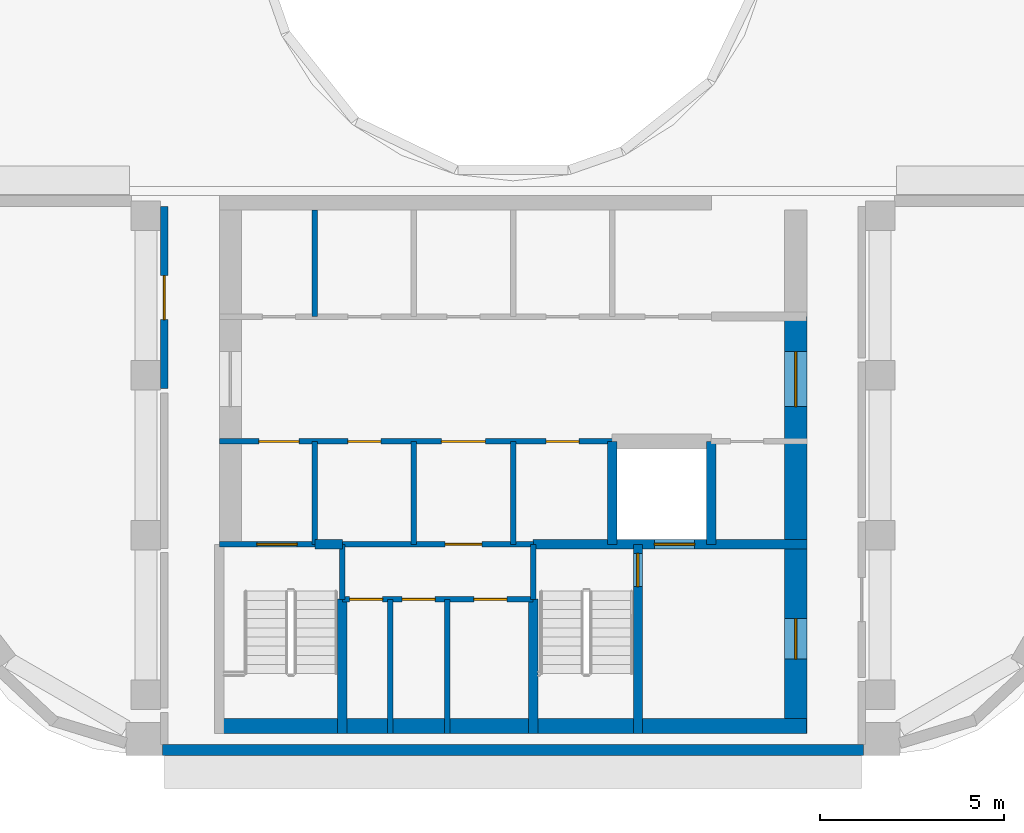
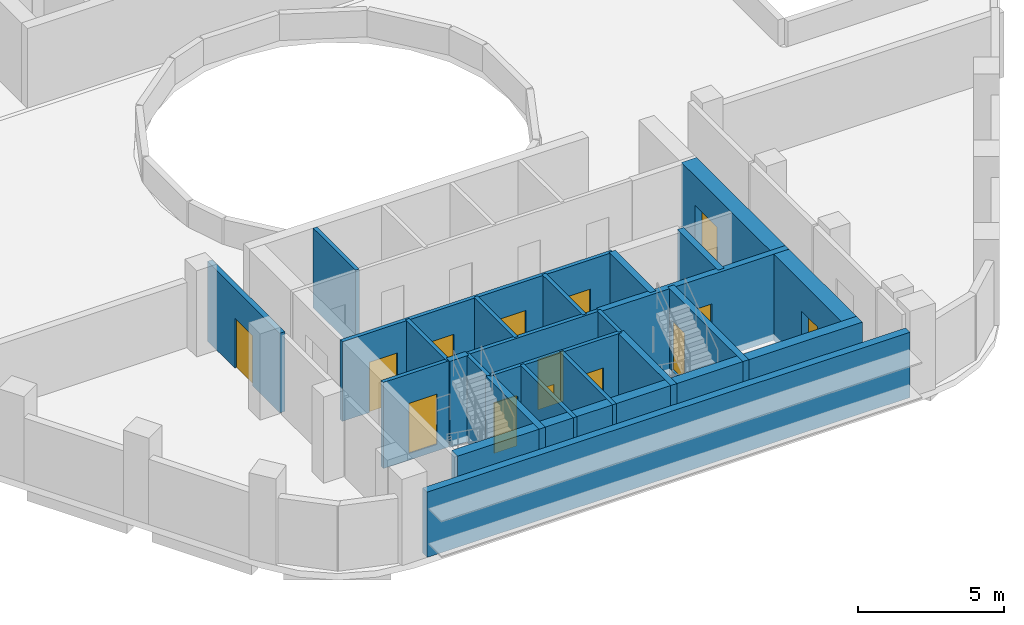
# One storey, part 2 of 9: 23 walls, 14 doors, 14 openings.
"""IFC4 building model written with IfcOpenShell, lengths in metres."""

from ifc_helpers import new_model, si_unit, direction, frame, frame_2d, origin, place, context, subcontext, project, spatial, rectangle, extrude, material, layer, layer_set, type_object, element, fill, save


model = new_model("IFC4")

# Units and contexts
model_context = context("Model", 3, precision=1e-05, world=origin(), true_north=direction((0.0, 1.0)))
body_context = subcontext(model_context, "Body", "Model", "MODEL_VIEW")
ifc_project = project(units=[si_unit("LENGTHUNIT", "METRE"), si_unit("AREAUNIT", "SQUARE_METRE"), si_unit("VOLUMEUNIT", "CUBIC_METRE"), si_unit("PLANEANGLEUNIT", "RADIAN"), si_unit("MASSUNIT", "GRAM", prefix="KILO")], contexts=[model_context])

# Site, building, storey
site_placement = place(None, origin())
site = spatial("IfcSite", under=ifc_project, at=site_placement, CompositionType="ELEMENT")
building_placement = place(site_placement, origin())
building = spatial("IfcBuilding", under=site, at=building_placement, Name="Nakaniwa Court", CompositionType="ELEMENT")
storey_placement = place(building_placement, frame((0.0, 0.0, 276.0)))
storey = spatial("IfcBuildingStorey", under=building, at=storey_placement, Name="C02", CompositionType="ELEMENT", Elevation=276.0)

# Wall, opening, door
ifc_material_1 = material(Name="Acoustic double stud partition")
ifc_layer_1 = layer(ifc_material_1, 0.199951171875)
ifc_layer_set_1 = layer_set([ifc_layer_1], Name="Acoustic double stud partition")
wall_type_1 = type_object("IfcWallType", Name="Acoustic double stud partition 200", PredefinedType="PARTITIONING", material=ifc_layer_set_1)
wall_1_placement = place(storey_placement, frame((70.5, 67.3369140625, 0.0), z_axis=(0.0, 0.0, 1.0), x_axis=(0.0, 1.0, 0.0)))
wall_1 = element("IfcWall", 1, at=wall_1_placement, inside=storey, type_object=wall_type_1, Name="Partition PW-068", PredefinedType="PARTITIONING", context=body_context, shape_type="SweptSolid", body=[
    extrude(rectangle(XDim=4.963134765625, YDim=0.199951171875, at=frame_2d((2.4814453125, 0.0))), origin(), (0.0, 0.0, 1.0), 3.324951171875),
])
opening_1_placement = place(wall_1_placement, frame((1.883056640625, 0.0, 0.0)))
opening_1 = element("IfcOpeningElement", 2, at=opening_1_placement, cuts=wall_1, Name="Opening D-35-01", PredefinedType="OPENING", context=body_context, shape_type="SweptSolid", body=[
    extrude(rectangle(XDim=1.199951171875, YDim=2.10009765625, at=frame_2d((0.60009765625, 1.050048828125))), frame((0.0, 0.10986328125, 0.0), z_axis=(0.0, -1.0, 0.0), x_axis=(1.0, 0.0, 0.0)), (0.0, 0.0, 1.0), 0.219970703125),
])
ifc_material_2 = material(Name="Fire rated steel door set", Category="steel")
door_type_1 = type_object("IfcDoorType", Name="Service room door 1200", OperationType="NOTDEFINED", PredefinedType="DOOR", material=ifc_material_2)
door_1_placement = place(opening_1_placement, origin())
door_1 = element("IfcDoor", 3, at=door_1_placement, inside=storey, type_object=door_type_1, Name="Door D-35-01 C02-035", OperationType="SINGLE_SWING_RIGHT", OverallHeight=2.10009765625, OverallWidth=1.199951171875, PredefinedType="DOOR", context=body_context, shape_type="SweptSolid", body=[
    extrude(rectangle(XDim=1.199951171875, YDim=2.10009765625, at=frame_2d((0.60009765625, 1.050048828125))), frame((0.0, 0.02490234375, 0.0), z_axis=(0.0, -1.0, 0.0), x_axis=(1.0, 0.0, 0.0)), (0.0, 0.0, 1.0), 0.050048828125),
])
fill(opening_1, door_1)

# Walls
ifc_material_3 = material(Name="Charcoal ceramic cladding")
ifc_layer_2 = layer(ifc_material_3, 0.02, Name="Ceramic cladding")
ifc_material_4 = material(Name="Ventilated air cavity")
ifc_layer_3 = layer(ifc_material_4, 0.04, ventilated=True, Name="Ventilated cavity")
ifc_material_5 = material(Name="Mineral wool insulation")
ifc_layer_4 = layer(ifc_material_5, 0.1, Name="Insulation")
ifc_material_6 = material(Name="Cement bonded sheathing board")
ifc_layer_5 = layer(ifc_material_6, 0.012, Name="Sheathing")
ifc_material_7 = material(Name="Cold-formed galvanised stud frame with mineral wool infill")
ifc_layer_6 = layer(ifc_material_7, 0.1, Name="Stud frame")
ifc_material_8 = material(Name="Fire-rated gypsum plasterboard lining")
ifc_layer_7 = layer(ifc_material_8, 0.028, Name="Lining")
ifc_layer_set_2 = layer_set([ifc_layer_2, ifc_layer_3, ifc_layer_4, ifc_layer_5, ifc_layer_6, ifc_layer_7], Name="Charcoal ceramic faced external wall system")
wall_type_2 = type_object("IfcWallType", Name="Black ceramic faced external wall 300", PredefinedType="SOLIDWALL", material=ifc_layer_set_2)
wall_2_placement = place(storey_placement, frame((70.45068359375, 57.5, 0.0), z_axis=(0.0, 0.0, 1.0), x_axis=(1.0, 0.0, 0.0)))
element("IfcWall", 4, at=wall_2_placement, inside=storey, type_object=wall_type_2, Name="C02 external wall 10", PredefinedType="SOLIDWALL", context=body_context, shape_type="SweptSolid", body=[
    extrude(rectangle(XDim=19.0927734375, YDim=0.300048828125, at=frame_2d((9.54638671875, 0.0))), origin(), (0.0, 0.0, 1.0), 2.72509765625),
])
ifc_material_9 = material(Name="Blockwork partition", Category="masonry")
ifc_layer_8 = layer(ifc_material_9, 0.14990234375)
ifc_layer_set_3 = layer_set([ifc_layer_8], Name="Blockwork partition")
wall_type_3 = type_object("IfcWallType", Name="Blockwork partition 150", PredefinedType="PARTITIONING", material=ifc_layer_set_3)
wall_3_placement = place(storey_placement, frame((74.60009765625, 63.10009765625, 0.0), z_axis=(0.0, 0.0, 1.0), x_axis=(0.0, 1.0, 0.0)))
element("IfcWall", 5, at=wall_3_placement, inside=storey, type_object=wall_type_3, Name="Partition PW-029", PredefinedType="PARTITIONING", context=body_context, shape_type="SweptSolid", body=[
    extrude(rectangle(XDim=2.7998046875, YDim=0.14990234375, at=frame_2d((1.39990234375, 0.0))), origin(), (0.0, 0.0, 1.0), 3.324951171875),
])
wall_4_placement = place(storey_placement, frame((74.60009765625, 69.300048828125, 0.0), z_axis=(0.0, 0.0, 1.0), x_axis=(0.0, 1.0, 0.0)))
element("IfcWall", 6, at=wall_4_placement, inside=storey, type_object=wall_type_3, Name="Partition PW-030", PredefinedType="PARTITIONING", context=body_context, shape_type="SweptSolid", body=[
    extrude(rectangle(XDim=2.89990234375, YDim=0.14990234375, at=frame_2d((1.449951171875, 0.0))), origin(), (0.0, 0.0, 1.0), 3.324951171875),
])
for number, where, z_axis, x_axis, name in (
    (7, (77.300048828125, 63.10009765625, 0.0), (0.0, 0.0, 1.0), (0.0, 1.0, 0.0), "Partition PW-033"),
    (8, (80.0, 63.10009765625, 0.0), (0.0, 0.0, 1.0), (0.0, 1.0, 0.0), "Partition PW-035"),
):
    element("IfcWall", number, at=place(storey_placement, frame(where, z_axis=z_axis, x_axis=x_axis)), inside=storey, type_object=wall_type_3, Name=name, PredefinedType="PARTITIONING", context=body_context, shape_type="SweptSolid", body=[
        extrude(rectangle(XDim=2.7998046875, YDim=0.14990234375, at=frame_2d((1.39990234375, 0.0))), origin(), (0.0, 0.0, 1.0), 3.324951171875),
    ])

# Wall, openings, doors
wall_5_placement = place(storey_placement, frame((82.702880859375, 65.89990234375, 0.0), z_axis=(0.0, 0.0, 1.0), x_axis=(-1.0, 0.0, 0.0)))
wall_5 = element("IfcWall", 9, at=wall_5_placement, inside=storey, type_object=wall_type_3, Name="Partition PW-038", PredefinedType="PARTITIONING", context=body_context, shape_type="SweptSolid", body=[
    extrude(rectangle(XDim=10.702880859375, YDim=0.14990234375, at=frame_2d((5.3515625, 0.0))), origin(), (0.0, 0.0, 1.0), 3.324951171875),
])
opening_2_placement = place(wall_5_placement, frame((8.528076171875, 0.0, 0.0)))
opening_2 = element("IfcOpeningElement", 10, at=opening_2_placement, cuts=wall_5, Name="Opening D-08-02", PredefinedType="OPENING", context=body_context, shape_type="SweptSolid", body=[
    extrude(rectangle(XDim=1.10009765625, YDim=2.10009765625, at=frame_2d((0.550048828125, 1.050048828125))), frame((0.0, 0.0849609375, 0.0), z_axis=(0.0, -1.0, 0.0), x_axis=(1.0, 0.0, 0.0)), (0.0, 0.0, 1.0), 0.169921875),
])
opening_3_placement = place(wall_5_placement, frame((6.302978515625, 0.0, 0.0)))
opening_3 = element("IfcOpeningElement", 11, at=opening_3_placement, cuts=wall_5, Name="Opening D-05-17", PredefinedType="OPENING", context=body_context, shape_type="SweptSolid", body=[
    extrude(rectangle(XDim=0.89990234375, YDim=2.10009765625, at=frame_2d((0.449951171875, 1.050048828125))), frame((0.0, 0.0849609375, 0.0), z_axis=(0.0, -1.0, 0.0), x_axis=(1.0, 0.0, 0.0)), (0.0, 0.0, 1.0), 0.169921875),
])
opening_4_placement = place(wall_5_placement, frame((3.452880859375, 0.0, 0.0)))
opening_4 = element("IfcOpeningElement", 12, at=opening_4_placement, cuts=wall_5, Name="Opening D-06-02", PredefinedType="OPENING", context=body_context, shape_type="SweptSolid", body=[
    extrude(rectangle(XDim=1.199951171875, YDim=2.10009765625, at=frame_2d((0.60009765625, 1.050048828125))), frame((0.0, 0.0849609375, 0.0), z_axis=(0.0, -1.0, 0.0), x_axis=(1.0, 0.0, 0.0)), (0.0, 0.0, 1.0), 0.169921875),
])
opening_5_placement = place(wall_5_placement, frame((0.903076171875, 0.0, 0.0)))
opening_5 = element("IfcOpeningElement", 13, at=opening_5_placement, cuts=wall_5, Name="Opening D-05-18", PredefinedType="OPENING", context=body_context, shape_type="SweptSolid", body=[
    extrude(rectangle(XDim=0.89990234375, YDim=2.10009765625, at=frame_2d((0.449951171875, 1.050048828125))), frame((0.0, 0.0849609375, 0.0), z_axis=(0.0, -1.0, 0.0), x_axis=(1.0, 0.0, 0.0)), (0.0, 0.0, 1.0), 0.169921875),
])
ifc_material_10 = material(Name="Fire rated steel double door set", Category="steel")
door_type_2 = type_object("IfcDoorType", Name="Service passage double door 1200", OperationType="NOTDEFINED", PredefinedType="DOOR", material=ifc_material_10)
door_2_placement = place(opening_4_placement, origin())
door_2 = element("IfcDoor", 14, at=door_2_placement, inside=storey, type_object=door_type_2, Name="Door D-06-02 C02-024", OperationType="DOUBLE_DOOR_SINGLE_SWING", OverallHeight=2.10009765625, OverallWidth=1.199951171875, PredefinedType="DOOR", context=body_context, shape_type="SweptSolid", body=[
    extrude(rectangle(XDim=1.199951171875, YDim=2.10009765625, at=frame_2d((0.60009765625, 1.050048828125))), frame((0.0, 0.02490234375, 0.0), z_axis=(0.0, -1.0, 0.0), x_axis=(1.0, 0.0, 0.0)), (0.0, 0.0, 1.0), 0.050048828125),
])
fill(opening_4, door_2)
door_type_3 = type_object("IfcDoorType", Name="Service room door 900", OperationType="NOTDEFINED", PredefinedType="DOOR", material=ifc_material_2)
door_3_placement = place(opening_3_placement, origin())
door_3 = element("IfcDoor", 15, at=door_3_placement, inside=storey, type_object=door_type_3, Name="Door D-05-17 C02-023", OperationType="SINGLE_SWING_RIGHT", OverallHeight=2.10009765625, OverallWidth=0.89990234375, PredefinedType="DOOR", context=body_context, shape_type="SweptSolid", body=[
    extrude(rectangle(XDim=0.89990234375, YDim=2.10009765625, at=frame_2d((0.449951171875, 1.050048828125))), frame((0.0, 0.02490234375, 0.0), z_axis=(0.0, -1.0, 0.0), x_axis=(1.0, 0.0, 0.0)), (0.0, 0.0, 1.0), 0.050048828125),
])
fill(opening_3, door_3)
door_4_placement = place(opening_5_placement, origin())
door_4 = element("IfcDoor", 16, at=door_4_placement, inside=storey, type_object=door_type_3, Name="Door D-05-18 C02-025", OperationType="SINGLE_SWING_RIGHT", OverallHeight=2.10009765625, OverallWidth=0.89990234375, PredefinedType="DOOR", context=body_context, shape_type="SweptSolid", body=[
    extrude(rectangle(XDim=0.89990234375, YDim=2.10009765625, at=frame_2d((0.449951171875, 1.050048828125))), frame((0.0, 0.02490234375, 0.0), z_axis=(0.0, -1.0, 0.0), x_axis=(1.0, 0.0, 0.0)), (0.0, 0.0, 1.0), 0.050048828125),
])
fill(opening_5, door_4)
door_type_4 = type_object("IfcDoorType", Name="Stair lobby door 1100", OperationType="NOTDEFINED", PredefinedType="DOOR", material=ifc_material_2)
door_5_placement = place(opening_2_placement, origin())
door_5 = element("IfcDoor", 17, at=door_5_placement, inside=storey, type_object=door_type_4, Name="Door D-08-02 C02-022", OperationType="SINGLE_SWING_LEFT", OverallHeight=2.10009765625, OverallWidth=1.10009765625, PredefinedType="DOOR", context=body_context, shape_type="SweptSolid", body=[
    extrude(rectangle(XDim=1.10009765625, YDim=2.10009765625, at=frame_2d((0.550048828125, 1.050048828125))), frame((0.0, 0.02490234375, 0.0), z_axis=(0.0, -1.0, 0.0), x_axis=(1.0, 0.0, 0.0)), (0.0, 0.0, 1.0), 0.050048828125),
])
fill(opening_2, door_5)

# Wall, opening, door
wall_6_placement = place(storey_placement, frame((80.552978515625, 63.10009765625, 0.0), z_axis=(0.0, 0.0, 1.0), x_axis=(-1.0, 0.0, 0.0)))
wall_6 = element("IfcWall", 18, at=wall_6_placement, inside=storey, type_object=wall_type_3, Name="Partition PW-045", PredefinedType="PARTITIONING", context=body_context, shape_type="SweptSolid", body=[
    extrude(rectangle(XDim=5.2060546875, YDim=0.14990234375, at=frame_2d((2.60302734375, 0.0))), origin(), (0.0, 0.0, 1.0), 3.324951171875),
])
opening_6_placement = place(wall_6_placement, frame((1.403076171875, 0.0, 0.0)))
opening_6 = element("IfcOpeningElement", 19, at=opening_6_placement, cuts=wall_6, Name="Opening D-23-02", PredefinedType="OPENING", context=body_context, shape_type="SweptSolid", body=[
    extrude(rectangle(XDim=1.0, YDim=2.10009765625, at=frame_2d((0.5, 1.050048828125))), frame((0.0, 0.0849609375, 0.0), z_axis=(0.0, -1.0, 0.0), x_axis=(1.0, 0.0, 0.0)), (0.0, 0.0, 1.0), 0.169921875),
])
door_type_5 = type_object("IfcDoorType", Name="Service room door 1000", OperationType="NOTDEFINED", PredefinedType="DOOR", material=ifc_material_2)
door_6_placement = place(opening_6_placement, origin())
door_6 = element("IfcDoor", 20, at=door_6_placement, inside=storey, type_object=door_type_5, Name="Door D-23-02 C02-027", OperationType="SINGLE_SWING_RIGHT", OverallHeight=2.10009765625, OverallWidth=1.0, PredefinedType="DOOR", context=body_context, shape_type="SweptSolid", body=[
    extrude(rectangle(XDim=1.0, YDim=2.10009765625, at=frame_2d((0.5, 1.050048828125))), frame((0.0, 0.02490234375, 0.0), z_axis=(0.0, -1.0, 0.0), x_axis=(1.0, 0.0, 0.0)), (0.0, 0.0, 1.0), 0.050048828125),
])
fill(opening_6, door_6)

# Wall, openings, doors
wall_7_placement = place(storey_placement, frame((80.550048828125, 61.60009765625, 0.0), z_axis=(0.0, 0.0, 1.0), x_axis=(-1.0, 0.0, 0.0)))
wall_7 = element("IfcWall", 21, at=wall_7_placement, inside=storey, type_object=wall_type_3, Name="Partition PW-054", PredefinedType="PARTITIONING", context=body_context, shape_type="SweptSolid", body=[
    extrude(rectangle(XDim=5.199951171875, YDim=0.14990234375, at=frame_2d((2.60009765625, 0.0))), origin(), (0.0, 0.0, 1.0), 3.324951171875),
])
opening_7_placement = place(wall_7_placement, frame((4.10009765625, 0.0, 0.0)))
opening_7 = element("IfcOpeningElement", 22, at=opening_7_placement, cuts=wall_7, Name="Opening D-05-20", PredefinedType="OPENING", context=body_context, shape_type="SweptSolid", body=[
    extrude(rectangle(XDim=0.89990234375, YDim=2.10009765625, at=frame_2d((0.449951171875, 1.050048828125))), frame((0.0, 0.0849609375, 0.0), z_axis=(0.0, -1.0, 0.0), x_axis=(1.0, 0.0, 0.0)), (0.0, 0.0, 1.0), 0.169921875),
])
opening_8_placement = place(wall_7_placement, frame((2.669921875, 0.0, 0.0)))
opening_8 = element("IfcOpeningElement", 23, at=opening_8_placement, cuts=wall_7, Name="Opening D-05-21", PredefinedType="OPENING", context=body_context, shape_type="SweptSolid", body=[
    extrude(rectangle(XDim=0.89990234375, YDim=2.10009765625, at=frame_2d((0.449951171875, 1.050048828125))), frame((0.0, 0.0849609375, 0.0), z_axis=(0.0, -1.0, 0.0), x_axis=(1.0, 0.0, 0.0)), (0.0, 0.0, 1.0), 0.169921875),
])
opening_9_placement = place(wall_7_placement, frame((0.719970703125, 0.0, 0.0)))
opening_9 = element("IfcOpeningElement", 24, at=opening_9_placement, cuts=wall_7, Name="Opening D-05-22", PredefinedType="OPENING", context=body_context, shape_type="SweptSolid", body=[
    extrude(rectangle(XDim=0.89990234375, YDim=2.10009765625, at=frame_2d((0.449951171875, 1.050048828125))), frame((0.0, 0.0849609375, 0.0), z_axis=(0.0, -1.0, 0.0), x_axis=(1.0, 0.0, 0.0)), (0.0, 0.0, 1.0), 0.169921875),
])
door_7_placement = place(opening_7_placement, origin())
door_7 = element("IfcDoor", 25, at=door_7_placement, inside=storey, type_object=door_type_3, Name="Door D-05-20 C02-028", OperationType="SINGLE_SWING_LEFT", OverallHeight=2.10009765625, OverallWidth=0.89990234375, PredefinedType="DOOR", context=body_context, shape_type="SweptSolid", body=[
    extrude(rectangle(XDim=0.89990234375, YDim=2.10009765625, at=frame_2d((0.449951171875, 1.050048828125))), frame((0.0, 0.02490234375, 0.0), z_axis=(0.0, -1.0, 0.0), x_axis=(1.0, 0.0, 0.0)), (0.0, 0.0, 1.0), 0.050048828125),
])
fill(opening_7, door_7)
door_8_placement = place(opening_8_placement, origin())
door_8 = element("IfcDoor", 26, at=door_8_placement, inside=storey, type_object=door_type_3, Name="Door D-05-21 C02-029", OperationType="SINGLE_SWING_RIGHT", OverallHeight=2.10009765625, OverallWidth=0.89990234375, PredefinedType="DOOR", context=body_context, shape_type="SweptSolid", body=[
    extrude(rectangle(XDim=0.89990234375, YDim=2.10009765625, at=frame_2d((0.449951171875, 1.050048828125))), frame((0.0, 0.02490234375, 0.0), z_axis=(0.0, -1.0, 0.0), x_axis=(1.0, 0.0, 0.0)), (0.0, 0.0, 1.0), 0.050048828125),
])
fill(opening_8, door_8)
door_9_placement = place(opening_9_placement, origin())
door_9 = element("IfcDoor", 27, at=door_9_placement, inside=storey, type_object=door_type_3, Name="Door D-05-22 C02-030", OperationType="SINGLE_SWING_LEFT", OverallHeight=2.10009765625, OverallWidth=0.89990234375, PredefinedType="DOOR", context=body_context, shape_type="SweptSolid", body=[
    extrude(rectangle(XDim=0.89990234375, YDim=2.10009765625, at=frame_2d((0.449951171875, 1.050048828125))), frame((0.0, 0.02490234375, 0.0), z_axis=(0.0, -1.0, 0.0), x_axis=(1.0, 0.0, 0.0)), (0.0, 0.0, 1.0), 0.050048828125),
])
fill(opening_9, door_9)

# Walls
for number, where, z_axis, x_axis, name in (
    (28, (76.64990234375, 57.949951171875, 0.0), (0.0, 0.0, 1.0), (0.0, 1.0, 0.0), "Partition PW-055"),
    (29, (78.2099609375, 57.949951171875, 0.0), (0.0, 0.0, 1.0), (0.0, 1.0, 0.0), "Partition PW-056"),
):
    element("IfcWall", number, at=place(storey_placement, frame(where, z_axis=z_axis, x_axis=x_axis)), inside=storey, type_object=wall_type_3, Name=name, PredefinedType="PARTITIONING", context=body_context, shape_type="SweptSolid", body=[
        extrude(rectangle(XDim=3.650146484375, YDim=0.14990234375, at=frame_2d((1.8251953125, 0.0))), origin(), (0.0, 0.0, 1.0), 3.324951171875),
    ])

# Wall, openings, doors
ifc_material_11 = material(Name="Concrete C80/100", Category="concrete")
ifc_layer_9 = layer(ifc_material_11, 0.60009765625)
ifc_layer_set_4 = layer_set([ifc_layer_9], Name="Concrete C80/100")
wall_type_4 = type_object("IfcWallType", Name="Concrete core side wall 600 C80", PredefinedType="SHEAR", material=ifc_layer_set_4)
wall_8_placement = place(storey_placement, frame((87.699951171875, 69.300048828125, -0.27490234375), z_axis=(0.0, 0.0, 1.0), x_axis=(0.0, -1.0, 0.0)))
wall_8 = element("IfcWall", 30, at=wall_8_placement, inside=storey, type_object=wall_type_4, Name="Core wall SW-41", PredefinedType="SHEAR", context=body_context, shape_type="SweptSolid", body=[
    extrude(rectangle(XDim=11.35009765625, YDim=0.60009765625, at=frame_2d((5.675048828125, 0.0))), origin(), (0.0, 0.0, 1.0), 3.599853515625),
])
opening_10_placement = place(wall_8_placement, frame((0.949951171875, 0.0, 0.27490234375)))
opening_10 = element("IfcOpeningElement", 31, at=opening_10_placement, cuts=wall_8, Name="Opening D-07-03", PredefinedType="OPENING", context=body_context, shape_type="SweptSolid", body=[
    extrude(rectangle(XDim=1.5, YDim=2.10009765625, at=frame_2d((0.75, 1.050048828125))), frame((0.0, 0.31005859375, 0.0), z_axis=(0.0, -1.0, 0.0), x_axis=(1.0, 0.0, 0.0)), (0.0, 0.0, 1.0), 0.6201171875),
])
opening_11_placement = place(wall_8_placement, frame((8.22509765625, 0.0, 0.27490234375)))
opening_11 = element("IfcOpeningElement", 32, at=opening_11_placement, cuts=wall_8, Name="Opening D-10-02", PredefinedType="OPENING", context=body_context, shape_type="SweptSolid", body=[
    extrude(rectangle(XDim=1.10009765625, YDim=2.10009765625, at=frame_2d((0.550048828125, 1.050048828125))), frame((0.0, 0.31005859375, 0.0), z_axis=(0.0, -1.0, 0.0), x_axis=(1.0, 0.0, 0.0)), (0.0, 0.0, 1.0), 0.6201171875),
])
door_type_6 = type_object("IfcDoorType", Name="Firefighting lobby door 1100", OperationType="NOTDEFINED", PredefinedType="DOOR", material=ifc_material_2)
door_10_placement = place(opening_11_placement, origin())
door_10 = element("IfcDoor", 33, at=door_10_placement, inside=storey, type_object=door_type_6, Name="Door D-10-02 C02-042", OperationType="SINGLE_SWING_LEFT", OverallHeight=2.10009765625, OverallWidth=1.10009765625, PredefinedType="DOOR", context=body_context, shape_type="SweptSolid", body=[
    extrude(rectangle(XDim=1.10009765625, YDim=2.10009765625, at=frame_2d((0.550048828125, 1.050048828125))), frame((0.0, 0.02490234375, 0.0), z_axis=(0.0, -1.0, 0.0), x_axis=(1.0, 0.0, 0.0)), (0.0, 0.0, 1.0), 0.050048828125),
])
fill(opening_11, door_10)
ifc_material_12 = material(Name="Glazed fire rated steel double door set", Category="steel")
door_type_7 = type_object("IfcDoorType", Name="Lobby double door 1500", OperationType="NOTDEFINED", PredefinedType="DOOR", material=ifc_material_12)
door_11_placement = place(opening_10_placement, origin())
door_11 = element("IfcDoor", 34, at=door_11_placement, inside=storey, type_object=door_type_7, Name="Door D-07-03 C02-040", OperationType="DOUBLE_DOOR_SINGLE_SWING", OverallHeight=2.10009765625, OverallWidth=1.5, PredefinedType="DOOR", context=body_context, shape_type="SweptSolid", body=[
    extrude(rectangle(XDim=1.5, YDim=2.10009765625, at=frame_2d((0.75, 1.050048828125))), frame((0.0, 0.02490234375, 0.0), z_axis=(0.0, -1.0, 0.0), x_axis=(1.0, 0.0, 0.0)), (0.0, 0.0, 1.0), 0.050048828125),
])
fill(opening_10, door_11)

# Wall, opening, door
ifc_layer_10 = layer(ifc_material_11, 0.14990234375)
ifc_layer_set_5 = layer_set([ifc_layer_10], Name="Concrete C80/100")
wall_type_5 = type_object("IfcWallType", Name="Concrete core wall 150 C80", PredefinedType="SHEAR", material=ifc_layer_set_5)
wall_9_placement = place(storey_placement, frame((72.0, 63.10009765625, -0.27490234375), z_axis=(0.0, 0.0, 1.0), x_axis=(1.0, 0.0, 0.0)))
wall_9 = element("IfcWall", 35, at=wall_9_placement, inside=storey, type_object=wall_type_5, Name="Core wall SW-42", PredefinedType="SHEAR", context=body_context, shape_type="SweptSolid", body=[
    extrude(rectangle(XDim=2.60009765625, YDim=0.14990234375, at=frame_2d((1.300048828125, 0.0))), origin(), (0.0, 0.0, 1.0), 3.599853515625),
])
opening_12_placement = place(wall_9_placement, frame((1.02001953125, 0.0, 0.27490234375)))
opening_12 = element("IfcOpeningElement", 36, at=opening_12_placement, cuts=wall_9, Name="Opening D-09-02", PredefinedType="OPENING", context=body_context, shape_type="SweptSolid", body=[
    extrude(rectangle(XDim=1.10009765625, YDim=2.10009765625, at=frame_2d((0.550048828125, 1.050048828125))), frame((0.0, 0.0849609375, 0.0), z_axis=(0.0, -1.0, 0.0), x_axis=(1.0, 0.0, 0.0)), (0.0, 0.0, 1.0), 0.169921875),
])
door_type_8 = type_object("IfcDoorType", Name="Stair door 1100", OperationType="NOTDEFINED", PredefinedType="DOOR", material=ifc_material_2)
door_12_placement = place(opening_12_placement, origin())
door_12 = element("IfcDoor", 37, at=door_12_placement, inside=storey, type_object=door_type_8, Name="Door D-09-02 C02-031", OperationType="SINGLE_SWING_LEFT", OverallHeight=2.10009765625, OverallWidth=1.10009765625, PredefinedType="DOOR", context=body_context, shape_type="SweptSolid", body=[
    extrude(rectangle(XDim=1.10009765625, YDim=2.10009765625, at=frame_2d((0.550048828125, 1.050048828125))), frame((0.0, 0.02490234375, 0.0), z_axis=(0.0, -1.0, 0.0), x_axis=(1.0, 0.0, 0.0)), (0.0, 0.0, 1.0), 0.050048828125),
])
fill(opening_12, door_12)

# Walls
for number, where, z_axis, x_axis, name in (
    (38, (75.35009765625, 61.596923828125, -0.27490234375), (0.0, 0.0, 1.0), (0.0, 1.0, 0.0), "Core wall SW-48"),
    (39, (80.550048828125, 61.596923828125, -0.27490234375), (0.0, 0.0, 1.0), (0.0, 1.0, 0.0), "Core wall SW-52"),
):
    element("IfcWall", number, at=place(storey_placement, frame(where, z_axis=z_axis, x_axis=x_axis)), inside=storey, type_object=wall_type_5, Name=name, PredefinedType="SHEAR", context=body_context, shape_type="SweptSolid", body=[
        extrude(rectangle(XDim=1.503173828125, YDim=0.14990234375, at=frame_2d((0.75146484375, 0.0))), origin(), (0.0, 0.0, 1.0), 3.599853515625),
    ])
ifc_layer_11 = layer(ifc_material_11, 0.39990234375)
ifc_layer_set_6 = layer_set([ifc_layer_11], Name="Concrete C80/100")
wall_type_6 = type_object("IfcWallType", Name="Concrete core wall 400 C80", PredefinedType="SHEAR", material=ifc_layer_set_6)
wall_10_placement = place(storey_placement, frame((72.00390625, 58.14990234375, -0.27490234375), z_axis=(0.0, 0.0, 1.0), x_axis=(1.0, 0.0, 0.0)))
element("IfcWall", 40, at=wall_10_placement, inside=storey, type_object=wall_type_6, Name="Core wall SW-80", PredefinedType="SHEAR", context=body_context, shape_type="SweptSolid", body=[
    extrude(rectangle(XDim=15.9921875, YDim=0.39990234375, at=frame_2d((7.99609375, 0.0))), origin(), (0.0, 0.0, 1.0), 3.599853515625),
])
ifc_layer_12 = layer(ifc_material_11, 0.25)
ifc_layer_set_7 = layer_set([ifc_layer_12], Name="Concrete C80/100")
wall_type_7 = type_object("IfcWallType", Name="Concrete shaft wall 250 C80", PredefinedType="SHEAR", material=ifc_layer_set_7)
wall_11_placement = place(storey_placement, frame((74.60009765625, 63.10009765625, -0.27490234375), z_axis=(0.0, 0.0, 1.0), x_axis=(1.0, 0.0, 0.0)))
element("IfcWall", 41, at=wall_11_placement, inside=storey, type_object=wall_type_7, Name="Core wall SW-43", PredefinedType="SHEAR", context=body_context, shape_type="SweptSolid", body=[
    extrude(rectangle(XDim=0.7529296875, YDim=0.25, at=frame_2d((0.37646484375, 0.0))), origin(), (0.0, 0.0, 1.0), 3.599853515625),
])

# Wall, opening, door
wall_12_placement = place(storey_placement, frame((80.547119140625, 63.10009765625, -0.27490234375), z_axis=(0.0, 0.0, 1.0), x_axis=(1.0, 0.0, 0.0)))
wall_12 = element("IfcWall", 42, at=wall_12_placement, inside=storey, type_object=wall_type_7, Name="Core wall SW-44", PredefinedType="SHEAR", context=body_context, shape_type="SweptSolid", body=[
    extrude(rectangle(XDim=7.452880859375, YDim=0.25, at=frame_2d((3.7265625, 0.0))), origin(), (0.0, 0.0, 1.0), 3.599853515625),
])
opening_13_placement = place(wall_12_placement, frame((3.302001953125, 0.0, 0.27490234375)))
opening_13 = element("IfcOpeningElement", 43, at=opening_13_placement, cuts=wall_12, Name="Opening LD02", PredefinedType="OPENING", context=body_context, shape_type="SweptSolid", body=[
    extrude(rectangle(XDim=1.10009765625, YDim=2.10009765625, at=frame_2d((0.550048828125, 1.050048828125))), frame((0.0, 0.135009765625, 0.0), z_axis=(0.0, -1.0, 0.0), x_axis=(1.0, 0.0, 0.0)), (0.0, 0.0, 1.0), 0.27001953125),
])
ifc_material_13 = material(Name="Stainless steel sliding lift landing door", Category="steel")
door_type_9 = type_object("IfcDoorType", Name="Lift landing door 1100", OperationType="NOTDEFINED", PredefinedType="DOOR", material=ifc_material_13)
door_13_placement = place(opening_13_placement, origin())
door_13 = element("IfcDoor", 44, at=door_13_placement, inside=storey, type_object=door_type_9, Name="Lift landing door LD02 C02-002", OperationType="SLIDING_TO_LEFT", OverallHeight=2.10009765625, OverallWidth=1.10009765625, PredefinedType="DOOR", context=body_context, shape_type="SweptSolid", body=[
    extrude(rectangle(XDim=1.10009765625, YDim=2.10009765625, at=frame_2d((0.550048828125, 1.050048828125))), frame((0.0, 0.02490234375, 0.0), z_axis=(0.0, -1.0, 0.0), x_axis=(1.0, 0.0, 0.0)), (0.0, 0.0, 1.0), 0.050048828125),
])
fill(opening_13, door_13)

# Walls
for number, where, z_axis, x_axis, name in (
    (45, (82.699951171875, 63.10009765625, -0.27490234375), (0.0, 0.0, 1.0), (0.0, 1.0, 0.0), "Core wall SW-46"),
    (46, (85.39990234375, 63.10009765625, -0.27490234375), (0.0, 0.0, 1.0), (0.0, 1.0, 0.0), "Core wall SW-47"),
):
    element("IfcWall", number, at=place(storey_placement, frame(where, z_axis=z_axis, x_axis=x_axis)), inside=storey, type_object=wall_type_7, Name=name, PredefinedType="SHEAR", context=body_context, shape_type="SweptSolid", body=[
        extrude(rectangle(XDim=2.7998046875, YDim=0.25, at=frame_2d((1.39990234375, 0.0))), origin(), (0.0, 0.0, 1.0), 3.599853515625),
    ])
wall_13_placement = place(storey_placement, frame((75.35009765625, 57.949951171875, -0.27490234375), z_axis=(0.0, 0.0, 1.0), x_axis=(0.0, 1.0, 0.0)))
element("IfcWall", 47, at=wall_13_placement, inside=storey, type_object=wall_type_7, Name="Core wall SW-49", PredefinedType="SHEAR", context=body_context, shape_type="SweptSolid", body=[
    extrude(rectangle(XDim=3.653076171875, YDim=0.25, at=frame_2d((1.82666015625, 0.0))), origin(), (0.0, 0.0, 1.0), 3.599853515625),
])

# Wall, opening, door
wall_14_placement = place(storey_placement, frame((83.39990234375, 63.10009765625, -0.27490234375), z_axis=(0.0, 0.0, 1.0), x_axis=(0.0, -1.0, 0.0)))
wall_14 = element("IfcWall", 48, at=wall_14_placement, inside=storey, type_object=wall_type_7, Name="Core wall SW-51", PredefinedType="SHEAR", context=body_context, shape_type="SweptSolid", body=[
    extrude(rectangle(XDim=5.150146484375, YDim=0.25, at=frame_2d((2.5751953125, 0.0))), origin(), (0.0, 0.0, 1.0), 3.599853515625),
])
opening_14_placement = place(wall_14_placement, frame((0.25, 0.0, 0.27490234375)))
opening_14 = element("IfcOpeningElement", 49, at=opening_14_placement, cuts=wall_14, Name="Opening D-11-02", PredefinedType="OPENING", context=body_context, shape_type="SweptSolid", body=[
    extrude(rectangle(XDim=0.89990234375, YDim=2.10009765625, at=frame_2d((0.449951171875, 1.050048828125))), frame((0.0, 0.135009765625, 0.0), z_axis=(0.0, -1.0, 0.0), x_axis=(1.0, 0.0, 0.0)), (0.0, 0.0, 1.0), 0.27001953125),
])
door_type_10 = type_object("IfcDoorType", Name="Stair door 900", OperationType="NOTDEFINED", PredefinedType="DOOR", material=ifc_material_2)
door_14_placement = place(opening_14_placement, origin())
door_14 = element("IfcDoor", 50, at=door_14_placement, inside=storey, type_object=door_type_10, Name="Door D-11-02 C02-032", OperationType="SINGLE_SWING_RIGHT", OverallHeight=2.10009765625, OverallWidth=0.89990234375, PredefinedType="DOOR", context=body_context, shape_type="SweptSolid", body=[
    extrude(rectangle(XDim=0.89990234375, YDim=2.10009765625, at=frame_2d((0.449951171875, 1.050048828125))), frame((0.0, 0.02490234375, 0.0), z_axis=(0.0, -1.0, 0.0), x_axis=(1.0, 0.0, 0.0)), (0.0, 0.0, 1.0), 0.050048828125),
])
fill(opening_14, door_14)

# Wall
wall_15_placement = place(storey_placement, frame((80.550048828125, 57.949951171875, -0.27490234375), z_axis=(0.0, 0.0, 1.0), x_axis=(0.0, 1.0, 0.0)))
element("IfcWall", 51, at=wall_15_placement, inside=storey, type_object=wall_type_7, Name="Core wall SW-53", PredefinedType="SHEAR", context=body_context, shape_type="SweptSolid", body=[
    extrude(rectangle(XDim=3.653076171875, YDim=0.25, at=frame_2d((1.82666015625, 0.0))), origin(), (0.0, 0.0, 1.0), 3.599853515625),
])

save(model, "model.ifc")
